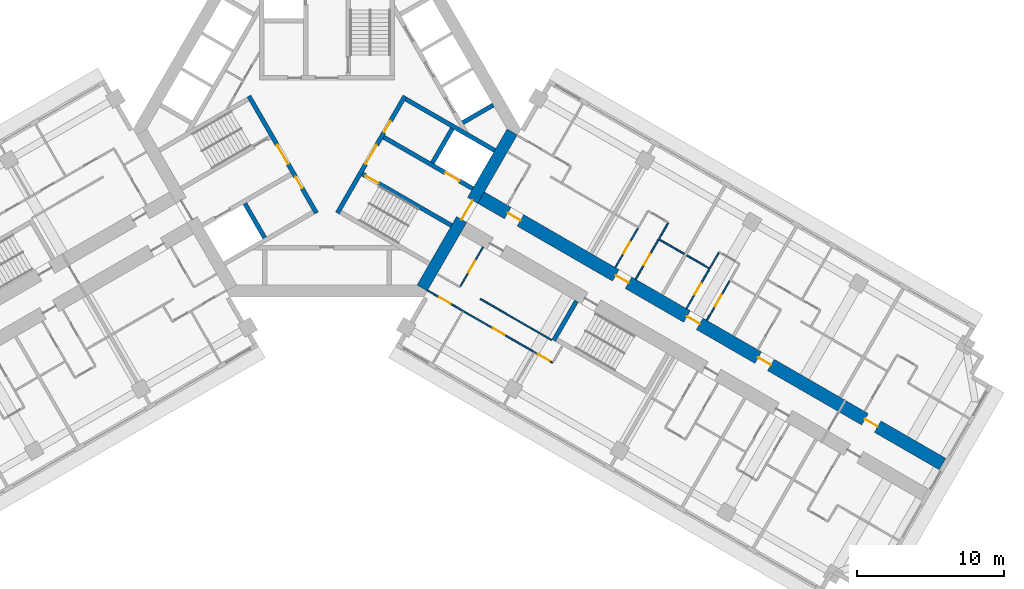
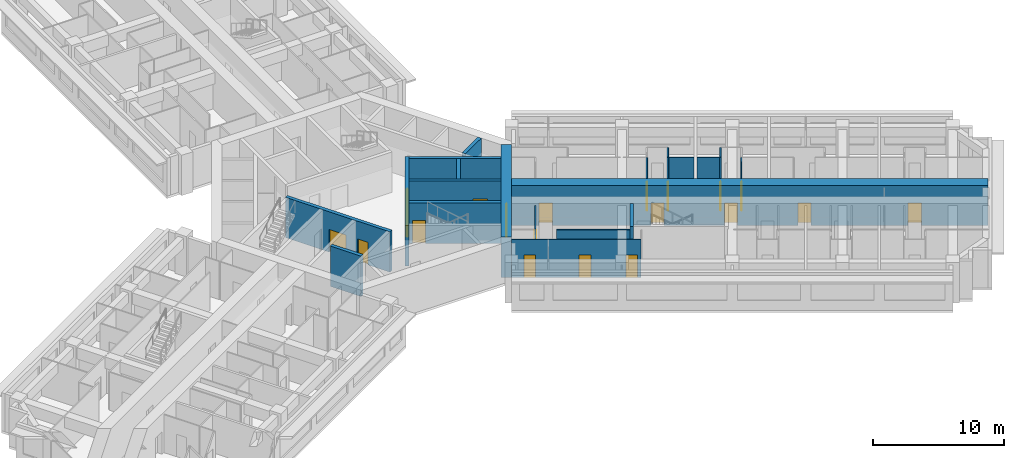
# One storey, part 6 of 13: 22 walls, 20 doors, 20 openings.
"""IFC4 building model written with IfcOpenShell, lengths in metres."""

from ifc_helpers import new_model, si_unit, direction, frame, frame_2d, origin, place, context, subcontext, project, spatial, rectangle, extrude, material, layer, layer_set, type_object, element, fill, save


model = new_model("IFC4")

# Units and contexts
model_context = context("Model", 3, precision=1e-05, world=origin(), true_north=direction((0.0, 1.0)))
body_context = subcontext(model_context, "Body", "Model", "MODEL_VIEW")
ifc_project = project(units=[si_unit("LENGTHUNIT", "METRE"), si_unit("AREAUNIT", "SQUARE_METRE"), si_unit("VOLUMEUNIT", "CUBIC_METRE"), si_unit("PLANEANGLEUNIT", "RADIAN"), si_unit("MASSUNIT", "GRAM", prefix="KILO")], contexts=[model_context])

# Site, building, storey
site_placement = place(None, origin())
site = spatial("IfcSite", under=ifc_project, at=site_placement, CompositionType="ELEMENT")
building_placement = place(site_placement, origin())
building = spatial("IfcBuilding", under=site, at=building_placement, Name="Impinga Residences", CompositionType="ELEMENT")
storey_placement = place(building_placement, frame((0.0, 0.0, 136.0)))
storey = spatial("IfcBuildingStorey", under=building, at=storey_placement, Name="L33", CompositionType="ELEMENT", Elevation=136.0)

# Wall, openings, doors
ifc_material_1 = material(Name="Concrete C60/75", Category="concrete")
ifc_layer_1 = layer(ifc_material_1, 0.89990234375)
ifc_layer_set_1 = layer_set([ifc_layer_1], Name="Concrete C60/75")
wall_type_1 = type_object("IfcWallType", Name="BW2 corridor buttress wall, L24 to L44 900", PredefinedType="SHEAR", material=ifc_layer_set_1)
wall_1_placement = place(storey_placement, frame((10.153564453125, -4.4765625, 0.0), z_axis=(0.0, 0.0, 1.0), x_axis=(0.866027614434, -0.499996171023, 0.0)))
wall_1 = element("IfcWall", 1, at=wall_1_placement, inside=storey, type_object=wall_type_1, Name="Corridor wall BW2 EC L33", PredefinedType="SHEAR", context=body_context, shape_type="SweptSolid", body=[
    extrude(rectangle(XDim=36.699951171875, YDim=0.89990234375, at=frame_2d((18.35009765625, 0.0))), origin(), (0.0, 0.0, 1.0), 3.75),
])
opening_1_placement = place(wall_1_placement, frame((2.5, 0.0, 0.0)))
opening_1 = element("IfcOpeningElement", 2, at=opening_1_placement, cuts=wall_1, Name="Opening D1", PredefinedType="OPENING", context=body_context, shape_type="SweptSolid", body=[
    extrude(rectangle(XDim=1.0, YDim=2.10009765625, at=frame_2d((0.5, 1.050048828125))), frame((0.0, 0.4599609375, 0.0), z_axis=(0.0, -1.0, 0.0), x_axis=(1.0, 0.0, 0.0)), (0.0, 0.0, 1.0), 0.919921875),
])
opening_2_placement = place(wall_1_placement, frame((11.0, 0.0, 0.0)))
opening_2 = element("IfcOpeningElement", 3, at=opening_2_placement, cuts=wall_1, Name="Opening D1", PredefinedType="OPENING", context=body_context, shape_type="SweptSolid", body=[
    extrude(rectangle(XDim=1.0, YDim=2.10009765625, at=frame_2d((0.5, 1.050048828125))), frame((0.0, 0.4599609375, 0.0), z_axis=(0.0, -1.0, 0.0), x_axis=(1.0, 0.0, 0.0)), (0.0, 0.0, 1.0), 0.919921875),
])
opening_3_placement = place(wall_1_placement, frame((16.60009765625, 0.0, 0.0)))
opening_3 = element("IfcOpeningElement", 4, at=opening_3_placement, cuts=wall_1, Name="Opening D1", PredefinedType="OPENING", context=body_context, shape_type="SweptSolid", body=[
    extrude(rectangle(XDim=1.0, YDim=2.10009765625, at=frame_2d((0.5, 1.050048828125))), frame((0.0, 0.4599609375, 0.0), z_axis=(0.0, -1.0, 0.0), x_axis=(1.0, 0.0, 0.0)), (0.0, 0.0, 1.0), 0.919921875),
])
opening_4_placement = place(wall_1_placement, frame((22.199951171875, 0.0, 0.0)))
opening_4 = element("IfcOpeningElement", 5, at=opening_4_placement, cuts=wall_1, Name="Opening D1", PredefinedType="OPENING", context=body_context, shape_type="SweptSolid", body=[
    extrude(rectangle(XDim=1.0, YDim=2.10009765625, at=frame_2d((0.5, 1.050048828125))), frame((0.0, 0.4599609375, 0.0), z_axis=(0.0, -1.0, 0.0), x_axis=(1.0, 0.0, 0.0)), (0.0, 0.0, 1.0), 0.919921875),
])
opening_5_placement = place(wall_1_placement, frame((30.60009765625, 0.0, 0.0)))
opening_5 = element("IfcOpeningElement", 6, at=opening_5_placement, cuts=wall_1, Name="Opening D1", PredefinedType="OPENING", context=body_context, shape_type="SweptSolid", body=[
    extrude(rectangle(XDim=1.0, YDim=2.10009765625, at=frame_2d((0.5, 1.050048828125))), frame((0.0, 0.4599609375, 0.0), z_axis=(0.0, -1.0, 0.0), x_axis=(1.0, 0.0, 0.0)), (0.0, 0.0, 1.0), 0.919921875),
])
ifc_material_2 = material(Name="Timber door set", Category="wood")
door_type_1 = type_object("IfcDoorType", Name="D1 apartment entrance door 1000x2100", OperationType="SINGLE_SWING_LEFT", PredefinedType="DOOR", material=ifc_material_2)
door_1_placement = place(opening_1_placement, origin())
door_1 = element("IfcDoor", 7, at=door_1_placement, inside=storey, type_object=door_type_1, Name="Apartment L33-EA1 entrance", OperationType="SINGLE_SWING_LEFT", OverallHeight=2.10009765625, OverallWidth=1.0, PredefinedType="DOOR", context=body_context, shape_type="SweptSolid", body=[
    extrude(rectangle(XDim=1.0, YDim=2.10009765625, at=frame_2d((0.5, 1.050048828125))), frame((0.0, 0.02490234375, 0.0), z_axis=(0.0, -1.0, 0.0), x_axis=(1.0, 0.0, 0.0)), (0.0, 0.0, 1.0), 0.050048828125),
])
fill(opening_1, door_1)
door_2_placement = place(opening_2_placement, origin())
door_2 = element("IfcDoor", 8, at=door_2_placement, inside=storey, type_object=door_type_1, Name="Apartment L33-EA2 entrance", OperationType="SINGLE_SWING_LEFT", OverallHeight=2.10009765625, OverallWidth=1.0, PredefinedType="DOOR", context=body_context, shape_type="SweptSolid", body=[
    extrude(rectangle(XDim=1.0, YDim=2.10009765625, at=frame_2d((0.5, 1.050048828125))), frame((0.0, 0.02490234375, 0.0), z_axis=(0.0, -1.0, 0.0), x_axis=(1.0, 0.0, 0.0)), (0.0, 0.0, 1.0), 0.050048828125),
])
fill(opening_2, door_2)
door_3_placement = place(opening_3_placement, origin())
door_3 = element("IfcDoor", 9, at=door_3_placement, inside=storey, type_object=door_type_1, Name="Apartment L33-EA3 entrance", OperationType="SINGLE_SWING_LEFT", OverallHeight=2.10009765625, OverallWidth=1.0, PredefinedType="DOOR", context=body_context, shape_type="SweptSolid", body=[
    extrude(rectangle(XDim=1.0, YDim=2.10009765625, at=frame_2d((0.5, 1.050048828125))), frame((0.0, 0.02490234375, 0.0), z_axis=(0.0, -1.0, 0.0), x_axis=(1.0, 0.0, 0.0)), (0.0, 0.0, 1.0), 0.050048828125),
])
fill(opening_3, door_3)
door_4_placement = place(opening_4_placement, origin())
door_4 = element("IfcDoor", 10, at=door_4_placement, inside=storey, type_object=door_type_1, Name="Apartment L33-EA4 entrance", OperationType="SINGLE_SWING_RIGHT", OverallHeight=2.10009765625, OverallWidth=1.0, PredefinedType="DOOR", context=body_context, shape_type="SweptSolid", body=[
    extrude(rectangle(XDim=1.0, YDim=2.10009765625, at=frame_2d((0.5, 1.050048828125))), frame((0.0, 0.02490234375, 0.0), z_axis=(0.0, -1.0, 0.0), x_axis=(1.0, 0.0, 0.0)), (0.0, 0.0, 1.0), 0.050048828125),
])
fill(opening_4, door_4)
door_5_placement = place(opening_5_placement, origin())
door_5 = element("IfcDoor", 11, at=door_5_placement, inside=storey, type_object=door_type_1, Name="Apartment L33-EA5 entrance", OperationType="SINGLE_SWING_RIGHT", OverallHeight=2.10009765625, OverallWidth=1.0, PredefinedType="DOOR", context=body_context, shape_type="SweptSolid", body=[
    extrude(rectangle(XDim=1.0, YDim=2.10009765625, at=frame_2d((0.5, 1.050048828125))), frame((0.0, 0.02490234375, 0.0), z_axis=(0.0, -1.0, 0.0), x_axis=(1.0, 0.0, 0.0)), (0.0, 0.0, 1.0), 0.050048828125),
])
fill(opening_5, door_5)

# Walls
ifc_material_3 = material(Name="Gypsum board on steel studs", Category="steel")
ifc_layer_2 = layer(ifc_material_3, 0.10009765625)
ifc_layer_set_2 = layer_set([ifc_layer_2], Name="Gypsum board on steel studs")
wall_type_2 = type_object("IfcWallType", Name="IP1 partition 100", PredefinedType="PARTITIONING", material=ifc_layer_set_2)
wall_2_placement = place(storey_placement, frame((22.605712890625, -7.5087890625, 0.0), z_axis=(0.0, 0.0, 1.0), x_axis=(0.866010750942, -0.50002537861, 0.0)))
element("IfcWall", 12, at=wall_2_placement, inside=storey, type_object=wall_type_2, Name="Partition L33-EA2:DIV1", PredefinedType="PARTITIONING", context=body_context, shape_type="SweptSolid", body=[
    extrude(rectangle(XDim=2.0, YDim=0.10009765625, at=frame_2d((1.0, 0.0))), origin(), (0.0, 0.0, 1.0), 3.530029296875),
])
wall_3_placement = place(storey_placement, frame((22.630615234375, -7.465576171875, 0.0), z_axis=(0.0, 0.0, 1.0), x_axis=(0.500033551112, 0.866006032174, 0.0)))
element("IfcWall", 13, at=wall_3_placement, inside=storey, type_object=wall_type_2, Name="Partition L33-EA2:SE1", PredefinedType="PARTITIONING", context=body_context, shape_type="SweptSolid", body=[
    extrude(rectangle(XDim=1.2001953125, YDim=0.10009765625, at=frame_2d((0.60009765625, 0.0))), origin(), (0.0, 0.0, 1.0), 3.530029296875),
])

# Wall, opening, door
wall_4_placement = place(storey_placement, frame((19.64501953125, -9.436767578125, 0.0), z_axis=(0.0, 0.0, 1.0), x_axis=(0.500026960575, 0.86600983753, 0.0)))
wall_4 = element("IfcWall", 14, at=wall_4_placement, inside=storey, type_object=wall_type_2, Name="Partition L33-EA2:IB1", PredefinedType="PARTITIONING", context=body_context, shape_type="SweptSolid", body=[
    extrude(rectangle(XDim=3.099853515625, YDim=0.10009765625, at=frame_2d((1.5498046875, 0.0))), origin(), (0.0, 0.0, 1.0), 3.530029296875),
])
opening_6_placement = place(wall_4_placement, frame((1.10009765625, 0.0, 0.0)))
opening_6 = element("IfcOpeningElement", 15, at=opening_6_placement, cuts=wall_4, Name="Opening D2", PredefinedType="OPENING", context=body_context, shape_type="SweptSolid", body=[
    extrude(rectangle(XDim=0.89990234375, YDim=2.10009765625, at=frame_2d((0.449951171875, 1.050048828125))), frame((0.0, 0.06005859375, 0.0), z_axis=(0.0, -1.0, 0.0), x_axis=(1.0, 0.0, 0.0)), (0.0, 0.0, 1.0), 0.1201171875),
])
door_type_2 = type_object("IfcDoorType", Name="D2 internal door 900x2100", OperationType="SINGLE_SWING_LEFT", PredefinedType="DOOR", material=ifc_material_2)
door_6_placement = place(opening_6_placement, origin())
door_6 = element("IfcDoor", 16, at=door_6_placement, inside=storey, type_object=door_type_2, Name="Apartment L33-EA2 bathroom door", OperationType="SINGLE_SWING_LEFT", OverallHeight=2.10009765625, OverallWidth=0.89990234375, PredefinedType="DOOR", context=body_context, shape_type="SweptSolid", body=[
    extrude(rectangle(XDim=0.89990234375, YDim=2.10009765625, at=frame_2d((0.449951171875, 1.050048828125))), frame((0.0, 0.02490234375, 0.0), z_axis=(0.0, -1.0, 0.0), x_axis=(1.0, 0.0, 0.0)), (0.0, 0.0, 1.0), 0.050048828125),
])
fill(opening_6, door_6)

wall_5_placement = place(storey_placement, frame((21.03076171875, -10.23681640625, 0.0), z_axis=(0.0, 0.0, 1.0), x_axis=(0.500026960575, 0.86600983753, 0.0)))
wall_5 = element("IfcWall", 17, at=wall_5_placement, inside=storey, type_object=wall_type_2, Name="Partition L33-EA2:IB2", PredefinedType="PARTITIONING", context=body_context, shape_type="SweptSolid", body=[
    extrude(rectangle(XDim=3.099853515625, YDim=0.10009765625, at=frame_2d((1.5498046875, 0.0))), origin(), (0.0, 0.0, 1.0), 3.530029296875),
])
opening_7_placement = place(wall_5_placement, frame((1.10009765625, 0.0, 0.0)))
opening_7 = element("IfcOpeningElement", 18, at=opening_7_placement, cuts=wall_5, Name="Opening D2", PredefinedType="OPENING", context=body_context, shape_type="SweptSolid", body=[
    extrude(rectangle(XDim=0.89990234375, YDim=2.10009765625, at=frame_2d((0.449951171875, 1.050048828125))), frame((0.0, 0.06005859375, 0.0), z_axis=(0.0, -1.0, 0.0), x_axis=(1.0, 0.0, 0.0)), (0.0, 0.0, 1.0), 0.1201171875),
])
door_7_placement = place(opening_7_placement, origin())
door_7 = element("IfcDoor", 19, at=door_7_placement, inside=storey, type_object=door_type_2, Name="Apartment L33-EA2 WC door", OperationType="SINGLE_SWING_LEFT", OverallHeight=2.10009765625, OverallWidth=0.89990234375, PredefinedType="DOOR", context=body_context, shape_type="SweptSolid", body=[
    extrude(rectangle(XDim=0.89990234375, YDim=2.10009765625, at=frame_2d((0.449951171875, 1.050048828125))), frame((0.0, 0.02490234375, 0.0), z_axis=(0.0, -1.0, 0.0), x_axis=(1.0, 0.0, 0.0)), (0.0, 0.0, 1.0), 0.050048828125),
])
fill(opening_7, door_7)

# Walls
wall_6_placement = place(storey_placement, frame((24.510986328125, -8.60888671875, 0.0), z_axis=(0.0, 0.0, 1.0), x_axis=(0.866047807691, -0.499961193289, 0.0)))
element("IfcWall", 20, at=wall_6_placement, inside=storey, type_object=wall_type_2, Name="Partition L33-EA3:DIV0", PredefinedType="PARTITIONING", context=body_context, shape_type="SweptSolid", body=[
    extrude(rectangle(XDim=1.800048828125, YDim=0.10009765625, at=frame_2d((0.89990234375, 0.0))), origin(), (0.0, 0.0, 1.0), 3.530029296875),
])
wall_7_placement = place(storey_placement, frame((26.0947265625, -9.465576171875, 0.0), z_axis=(0.0, 0.0, 1.0), x_axis=(0.500033551112, 0.866006032174, 0.0)))
element("IfcWall", 21, at=wall_7_placement, inside=storey, type_object=wall_type_2, Name="Partition L33-EA3:SE0", PredefinedType="PARTITIONING", context=body_context, shape_type="SweptSolid", body=[
    extrude(rectangle(XDim=1.2001953125, YDim=0.10009765625, at=frame_2d((0.60009765625, 0.0))), origin(), (0.0, 0.0, 1.0), 3.530029296875),
])

# Wall, opening, door
wall_8_placement = place(storey_placement, frame((24.494873046875, -12.23681640625, 0.0), z_axis=(0.0, 0.0, 1.0), x_axis=(0.500026960575, 0.86600983753, 0.0)))
wall_8 = element("IfcWall", 22, at=wall_8_placement, inside=storey, type_object=wall_type_2, Name="Partition L33-EA3:IB1", PredefinedType="PARTITIONING", context=body_context, shape_type="SweptSolid", body=[
    extrude(rectangle(XDim=3.099853515625, YDim=0.10009765625, at=frame_2d((1.5498046875, 0.0))), origin(), (0.0, 0.0, 1.0), 3.530029296875),
])
opening_8_placement = place(wall_8_placement, frame((1.10009765625, 0.0, 0.0)))
opening_8 = element("IfcOpeningElement", 23, at=opening_8_placement, cuts=wall_8, Name="Opening D2", PredefinedType="OPENING", context=body_context, shape_type="SweptSolid", body=[
    extrude(rectangle(XDim=0.89990234375, YDim=2.10009765625, at=frame_2d((0.449951171875, 1.050048828125))), frame((0.0, 0.06005859375, 0.0), z_axis=(0.0, -1.0, 0.0), x_axis=(1.0, 0.0, 0.0)), (0.0, 0.0, 1.0), 0.1201171875),
])
door_8_placement = place(opening_8_placement, origin())
door_8 = element("IfcDoor", 24, at=door_8_placement, inside=storey, type_object=door_type_2, Name="Apartment L33-EA3 bathroom door", OperationType="SINGLE_SWING_LEFT", OverallHeight=2.10009765625, OverallWidth=0.89990234375, PredefinedType="DOOR", context=body_context, shape_type="SweptSolid", body=[
    extrude(rectangle(XDim=0.89990234375, YDim=2.10009765625, at=frame_2d((0.449951171875, 1.050048828125))), frame((0.0, 0.02490234375, 0.0), z_axis=(0.0, -1.0, 0.0), x_axis=(1.0, 0.0, 0.0)), (0.0, 0.0, 1.0), 0.050048828125),
])
fill(opening_8, door_8)

wall_9_placement = place(storey_placement, frame((25.88037109375, -13.036865234375, 0.0), z_axis=(0.0, 0.0, 1.0), x_axis=(0.49999285859, 0.86602952684, 0.0)))
wall_9 = element("IfcWall", 25, at=wall_9_placement, inside=storey, type_object=wall_type_2, Name="Partition L33-EA3:IB2", PredefinedType="PARTITIONING", context=body_context, shape_type="SweptSolid", body=[
    extrude(rectangle(XDim=3.10009765625, YDim=0.10009765625, at=frame_2d((1.550048828125, 0.0))), origin(), (0.0, 0.0, 1.0), 3.530029296875),
])
opening_9_placement = place(wall_9_placement, frame((1.10009765625, 0.0, 0.0)))
opening_9 = element("IfcOpeningElement", 26, at=opening_9_placement, cuts=wall_9, Name="Opening D2", PredefinedType="OPENING", context=body_context, shape_type="SweptSolid", body=[
    extrude(rectangle(XDim=0.89990234375, YDim=2.10009765625, at=frame_2d((0.449951171875, 1.050048828125))), frame((0.0, 0.06005859375, 0.0), z_axis=(0.0, -1.0, 0.0), x_axis=(1.0, 0.0, 0.0)), (0.0, 0.0, 1.0), 0.1201171875),
])
door_9_placement = place(opening_9_placement, origin())
door_9 = element("IfcDoor", 27, at=door_9_placement, inside=storey, type_object=door_type_2, Name="Apartment L33-EA3 WC door", OperationType="SINGLE_SWING_LEFT", OverallHeight=2.10009765625, OverallWidth=0.89990234375, PredefinedType="DOOR", context=body_context, shape_type="SweptSolid", body=[
    extrude(rectangle(XDim=0.89990234375, YDim=2.10009765625, at=frame_2d((0.449951171875, 1.050048828125))), frame((0.0, 0.02490234375, 0.0), z_axis=(0.0, -1.0, 0.0), x_axis=(1.0, 0.0, 0.0)), (0.0, 0.0, 1.0), 0.050048828125),
])
fill(opening_9, door_9)

# Wall
wall_10_placement = place(storey_placement, frame((10.444580078125, -11.57275390625, 0.0), z_axis=(0.0, 0.0, 1.0), x_axis=(0.866015695474, -0.500016814911, 0.0)))
element("IfcWall", 28, at=wall_10_placement, inside=storey, type_object=wall_type_2, Name="Partition L33-EF1:DIV1", PredefinedType="PARTITIONING", context=body_context, shape_type="SweptSolid", body=[
    extrude(rectangle(XDim=5.599853515625, YDim=0.10009765625, at=frame_2d((2.7998046875, 0.0))), origin(), (0.0, 0.0, 1.0), 3.530029296875),
])

# Wall, openings, doors
wall_11_placement = place(storey_placement, frame((6.85009765625, -10.99853515625, 0.0), z_axis=(0.0, 0.0, 1.0), x_axis=(0.866021308241, -0.500007093622, 0.0)))
wall_11 = element("IfcWall", 29, at=wall_11_placement, inside=storey, type_object=wall_type_2, Name="Partition L33-EF1:STRIP", PredefinedType="PARTITIONING", context=body_context, shape_type="SweptSolid", body=[
    extrude(rectangle(XDim=9.849853515625, YDim=0.10009765625, at=frame_2d((4.9248046875, 0.0))), origin(), (0.0, 0.0, 1.0), 3.530029296875),
])
opening_10_placement = place(wall_11_placement, frame((0.925048828125, 0.0, 0.0)))
opening_10 = element("IfcOpeningElement", 30, at=opening_10_placement, cuts=wall_11, Name="Opening D2", PredefinedType="OPENING", context=body_context, shape_type="SweptSolid", body=[
    extrude(rectangle(XDim=0.89990234375, YDim=2.10009765625, at=frame_2d((0.449951171875, 1.050048828125))), frame((0.0, 0.06005859375, 0.0), z_axis=(0.0, -1.0, 0.0), x_axis=(1.0, 0.0, 0.0)), (0.0, 0.0, 1.0), 0.1201171875),
])
opening_11_placement = place(wall_11_placement, frame((5.14990234375, 0.0, 0.0)))
opening_11 = element("IfcOpeningElement", 31, at=opening_11_placement, cuts=wall_11, Name="Opening D2", PredefinedType="OPENING", context=body_context, shape_type="SweptSolid", body=[
    extrude(rectangle(XDim=0.89990234375, YDim=2.10009765625, at=frame_2d((0.449951171875, 1.050048828125))), frame((0.0, 0.06005859375, 0.0), z_axis=(0.0, -1.0, 0.0), x_axis=(1.0, 0.0, 0.0)), (0.0, 0.0, 1.0), 0.1201171875),
])
opening_12_placement = place(wall_11_placement, frame((8.699951171875, 0.0, 0.0)))
opening_12 = element("IfcOpeningElement", 32, at=opening_12_placement, cuts=wall_11, Name="Opening D2", PredefinedType="OPENING", context=body_context, shape_type="SweptSolid", body=[
    extrude(rectangle(XDim=0.89990234375, YDim=2.10009765625, at=frame_2d((0.449951171875, 1.050048828125))), frame((0.0, 0.06005859375, 0.0), z_axis=(0.0, -1.0, 0.0), x_axis=(1.0, 0.0, 0.0)), (0.0, 0.0, 1.0), 0.1201171875),
])
door_10_placement = place(opening_10_placement, origin())
door_10 = element("IfcDoor", 33, at=door_10_placement, inside=storey, type_object=door_type_2, Name="Apartment L33-EF1 room door", OperationType="SINGLE_SWING_LEFT", OverallHeight=2.10009765625, OverallWidth=0.89990234375, PredefinedType="DOOR", context=body_context, shape_type="SweptSolid", body=[
    extrude(rectangle(XDim=0.89990234375, YDim=2.10009765625, at=frame_2d((0.449951171875, 1.050048828125))), frame((0.0, 0.02490234375, 0.0), z_axis=(0.0, -1.0, 0.0), x_axis=(1.0, 0.0, 0.0)), (0.0, 0.0, 1.0), 0.050048828125),
])
fill(opening_10, door_10)
door_11_placement = place(opening_11_placement, origin())
door_11 = element("IfcDoor", 34, at=door_11_placement, inside=storey, type_object=door_type_2, Name="Apartment L33-EF1 room door", OperationType="SINGLE_SWING_RIGHT", OverallHeight=2.10009765625, OverallWidth=0.89990234375, PredefinedType="DOOR", context=body_context, shape_type="SweptSolid", body=[
    extrude(rectangle(XDim=0.89990234375, YDim=2.10009765625, at=frame_2d((0.449951171875, 1.050048828125))), frame((0.0, 0.02490234375, 0.0), z_axis=(0.0, -1.0, 0.0), x_axis=(1.0, 0.0, 0.0)), (0.0, 0.0, 1.0), 0.050048828125),
])
fill(opening_11, door_11)
door_12_placement = place(opening_12_placement, origin())
door_12 = element("IfcDoor", 35, at=door_12_placement, inside=storey, type_object=door_type_2, Name="Apartment L33-EF1 room door", OperationType="SINGLE_SWING_RIGHT", OverallHeight=2.10009765625, OverallWidth=0.89990234375, PredefinedType="DOOR", context=body_context, shape_type="SweptSolid", body=[
    extrude(rectangle(XDim=0.89990234375, YDim=2.10009765625, at=frame_2d((0.449951171875, 1.050048828125))), frame((0.0, 0.02490234375, 0.0), z_axis=(0.0, -1.0, 0.0), x_axis=(1.0, 0.0, 0.0)), (0.0, 0.0, 1.0), 0.050048828125),
])
fill(opening_12, door_12)

# Wall, opening, door
wall_12_placement = place(storey_placement, frame((10.6337890625, -8.044677734375, 0.0), z_axis=(0.0, 0.0, 1.0), x_axis=(-0.49999285859, -0.86602952684, 0.0)))
wall_12 = element("IfcWall", 36, at=wall_12_placement, inside=storey, type_object=wall_type_2, Name="Partition L33-EF1:IB1", PredefinedType="PARTITIONING", context=body_context, shape_type="SweptSolid", body=[
    extrude(rectangle(XDim=3.10009765625, YDim=0.10009765625, at=frame_2d((1.550048828125, 0.0))), origin(), (0.0, 0.0, 1.0), 3.530029296875),
])
opening_13_placement = place(wall_12_placement, frame((1.10009765625, 0.0, 0.0)))
opening_13 = element("IfcOpeningElement", 37, at=opening_13_placement, cuts=wall_12, Name="Opening D2", PredefinedType="OPENING", context=body_context, shape_type="SweptSolid", body=[
    extrude(rectangle(XDim=0.89990234375, YDim=2.10009765625, at=frame_2d((0.449951171875, 1.050048828125))), frame((0.0, 0.06005859375, 0.0), z_axis=(0.0, -1.0, 0.0), x_axis=(1.0, 0.0, 0.0)), (0.0, 0.0, 1.0), 0.1201171875),
])
door_13_placement = place(opening_13_placement, origin())
door_13 = element("IfcDoor", 38, at=door_13_placement, inside=storey, type_object=door_type_2, Name="Apartment L33-EF1 bathroom door", OperationType="SINGLE_SWING_LEFT", OverallHeight=2.10009765625, OverallWidth=0.89990234375, PredefinedType="DOOR", context=body_context, shape_type="SweptSolid", body=[
    extrude(rectangle(XDim=0.89990234375, YDim=2.10009765625, at=frame_2d((0.449951171875, 1.050048828125))), frame((0.0, 0.02490234375, 0.0), z_axis=(0.0, -1.0, 0.0), x_axis=(1.0, 0.0, 0.0)), (0.0, 0.0, 1.0), 0.050048828125),
])
fill(opening_13, door_13)

# Wall
ifc_layer_3 = layer(ifc_material_1, 0.300048828125)
ifc_layer_set_3 = layer_set([ifc_layer_3], Name="Concrete C60/75")
wall_type_3 = type_object("IfcWallType", Name="SE1 wing stair enclosure wall 300", PredefinedType="SOLIDWALL", material=ifc_layer_set_3)
wall_13_placement = place(storey_placement, frame((16.9990234375, -11.7197265625, 0.0), z_axis=(0.0, 0.0, 1.0), x_axis=(-0.499967891604, -0.866043940782, 0.0)))
element("IfcWall", 39, at=wall_13_placement, inside=storey, type_object=wall_type_3, Name="Stair enclosure wall SE1 E END0 L33", PredefinedType="SOLIDWALL", context=body_context, shape_type="SweptSolid", body=[
    extrude(rectangle(XDim=3.099853515625, YDim=0.300048828125, at=frame_2d((1.5498046875, 0.0))), origin(), (0.0, 0.0, 1.0), 3.75),
])

# Wall, opening, door
ifc_layer_4 = layer(ifc_material_1, 0.800048828125)
ifc_layer_set_4 = layer_set([ifc_layer_4], Name="Concrete C60/75")
wall_type_4 = type_object("IfcWallType", Name="SW2 core wall 800", PredefinedType="SHEAR", material=ifc_layer_set_4)
wall_14_placement = place(storey_placement, frame((12.62255859375, -0.199951171875, 0.0), z_axis=(0.0, 0.0, 1.0), x_axis=(-0.499986991068, -0.866032914365, 0.0)))
wall_14 = element("IfcWall", 40, at=wall_14_placement, inside=storey, type_object=wall_type_4, Name="Core wall SW2 E:FACE L33", PredefinedType="SHEAR", context=body_context, shape_type="SweptSolid", body=[
    extrude(rectangle(XDim=12.276123046875, YDim=0.800048828125, at=frame_2d((6.13818359375, 0.0))), origin(), (0.0, 0.0, 1.0), 3.75),
])
opening_14_placement = place(wall_14_placement, frame((5.38818359375, 0.0, 0.0)))
opening_14 = element("IfcOpeningElement", 41, at=opening_14_placement, cuts=wall_14, Name="Opening D4", PredefinedType="OPENING", context=body_context, shape_type="SweptSolid", body=[
    extrude(rectangle(XDim=1.5, YDim=2.10009765625, at=frame_2d((0.75, 1.050048828125))), frame((0.0, 0.409912109375, 0.0), z_axis=(0.0, -1.0, 0.0), x_axis=(1.0, 0.0, 0.0)), (0.0, 0.0, 1.0), 0.820068359375),
])
door_type_3 = type_object("IfcDoorType", Name="D4 lobby door pair 1500x2100", OperationType="DOUBLE_DOOR_DOUBLE_SWING", PredefinedType="DOOR", material=ifc_material_2)
door_14_placement = place(opening_14_placement, origin())
door_14 = element("IfcDoor", 42, at=door_14_placement, inside=storey, type_object=door_type_3, Name="Lobby door E", OperationType="DOUBLE_DOOR_DOUBLE_SWING", OverallHeight=2.10009765625, OverallWidth=1.5, PredefinedType="DOOR", context=body_context, shape_type="SweptSolid", body=[
    extrude(rectangle(XDim=1.5, YDim=2.10009765625, at=frame_2d((0.75, 1.050048828125))), frame((0.0, 0.02490234375, 0.0), z_axis=(0.0, -1.0, 0.0), x_axis=(1.0, 0.0, 0.0)), (0.0, 0.0, 1.0), 0.050048828125),
])
fill(opening_14, door_14)

# Wall, openings, doors
ifc_material_4 = material(Name="Concrete C70/85", Category="concrete")
ifc_layer_5 = layer(ifc_material_4, 0.300048828125)
ifc_layer_set_5 = layer_set([ifc_layer_5], Name="Concrete C70/85")
wall_type_5 = type_object("IfcWallType", Name="SW5 core inner wall, stairs, shafts and lobbies 300", PredefinedType="SHEAR", material=ifc_layer_set_5)
wall_15_placement = place(storey_placement, frame((-0.7138671875, -5.7236328125, 0.0), z_axis=(0.0, 0.0, 1.0), x_axis=(-0.499995050369, 0.866028261437, 0.0)))
wall_15 = element("IfcWall", 43, at=wall_15_placement, inside=storey, type_object=wall_type_5, Name="Core wall SW5 W:ZONE L33", PredefinedType="SHEAR", context=body_context, shape_type="SweptSolid", body=[
    extrude(rectangle(XDim=9.19970703125, YDim=0.300048828125, at=frame_2d((4.599853515625, 0.0))), origin(), (0.0, 0.0, 1.0), 3.75),
])
opening_15_placement = place(wall_15_placement, frame((3.85009765625, 0.0, 0.0)))
opening_15 = element("IfcOpeningElement", 44, at=opening_15_placement, cuts=wall_15, Name="Opening D4", PredefinedType="OPENING", context=body_context, shape_type="SweptSolid", body=[
    extrude(rectangle(XDim=1.5, YDim=2.10009765625, at=frame_2d((0.75, 1.050048828125))), frame((0.0, 0.159912109375, 0.0), z_axis=(0.0, -1.0, 0.0), x_axis=(1.0, 0.0, 0.0)), (0.0, 0.0, 1.0), 0.320068359375),
])
opening_16_placement = place(wall_15_placement, frame((1.949951171875, 0.0, 0.0)))
opening_16 = element("IfcOpeningElement", 45, at=opening_16_placement, cuts=wall_15, Name="Opening D6", PredefinedType="OPENING", context=body_context, shape_type="SweptSolid", body=[
    extrude(rectangle(XDim=0.89990234375, YDim=2.10009765625, at=frame_2d((0.449951171875, 1.050048828125))), frame((0.0, 0.159912109375, 0.0), z_axis=(0.0, -1.0, 0.0), x_axis=(1.0, 0.0, 0.0)), (0.0, 0.0, 1.0), 0.320068359375),
])
door_15_placement = place(opening_15_placement, origin())
door_15 = element("IfcDoor", 46, at=door_15_placement, inside=storey, type_object=door_type_3, Name="Firefighting lobby door W", OperationType="DOUBLE_DOOR_DOUBLE_SWING", OverallHeight=2.10009765625, OverallWidth=1.5, PredefinedType="DOOR", context=body_context, shape_type="SweptSolid", body=[
    extrude(rectangle(XDim=1.5, YDim=2.10009765625, at=frame_2d((0.75, 1.050048828125))), frame((0.0, 0.02490234375, 0.0), z_axis=(0.0, -1.0, 0.0), x_axis=(1.0, 0.0, 0.0)), (0.0, 0.0, 1.0), 0.050048828125),
])
fill(opening_15, door_15)
door_type_4 = type_object("IfcDoorType", Name="D6 riser and store door 900x2100", OperationType="SINGLE_SWING_LEFT", PredefinedType="DOOR", material=ifc_material_2)
door_16_placement = place(opening_16_placement, origin())
door_16 = element("IfcDoor", 47, at=door_16_placement, inside=storey, type_object=door_type_4, Name="Riser door W", OperationType="SINGLE_SWING_LEFT", OverallHeight=2.10009765625, OverallWidth=0.89990234375, PredefinedType="DOOR", context=body_context, shape_type="SweptSolid", body=[
    extrude(rectangle(XDim=0.89990234375, YDim=2.10009765625, at=frame_2d((0.449951171875, 1.050048828125))), frame((0.0, 0.02490234375, 0.0), z_axis=(0.0, -1.0, 0.0), x_axis=(1.0, 0.0, 0.0)), (0.0, 0.0, 1.0), 0.050048828125),
])
fill(opening_16, door_16)

# Wall
wall_16_placement = place(storey_placement, frame((-4.2412109375, -7.413818359375, 0.0), z_axis=(0.0, 0.0, 1.0), x_axis=(-0.500048589285, 0.86599734893, 0.0)))
element("IfcWall", 48, at=wall_16_placement, inside=storey, type_object=wall_type_5, Name="Core wall SW5 W:FF-RS L33", PredefinedType="SHEAR", context=body_context, shape_type="SweptSolid", body=[
    extrude(rectangle(XDim=2.699951171875, YDim=0.300048828125, at=frame_2d((1.35009765625, 0.0))), origin(), (0.0, 0.0, 1.0), 3.75),
])

# Wall, openings, doors
wall_17_placement = place(storey_placement, frame((5.313720703125, 2.24365234375, 0.0), z_axis=(0.0, 0.0, 1.0), x_axis=(-0.499995050369, -0.866028261437, 0.0)))
wall_17 = element("IfcWall", 49, at=wall_17_placement, inside=storey, type_object=wall_type_5, Name="Core wall SW5 E:ZONE L33", PredefinedType="SHEAR", context=body_context, shape_type="SweptSolid", body=[
    extrude(rectangle(XDim=9.19970703125, YDim=0.300048828125, at=frame_2d((4.599853515625, 0.0))), origin(), (0.0, 0.0, 1.0), 3.75),
])
opening_17_placement = place(wall_17_placement, frame((3.85009765625, 0.0, 0.0)))
opening_17 = element("IfcOpeningElement", 50, at=opening_17_placement, cuts=wall_17, Name="Opening D4", PredefinedType="OPENING", context=body_context, shape_type="SweptSolid", body=[
    extrude(rectangle(XDim=1.5, YDim=2.10009765625, at=frame_2d((0.75, 1.050048828125))), frame((0.0, 0.159912109375, 0.0), z_axis=(0.0, -1.0, 0.0), x_axis=(1.0, 0.0, 0.0)), (0.0, 0.0, 1.0), 0.320068359375),
])
opening_18_placement = place(wall_17_placement, frame((1.949951171875, 0.0, 0.0)))
opening_18 = element("IfcOpeningElement", 51, at=opening_18_placement, cuts=wall_17, Name="Opening D6", PredefinedType="OPENING", context=body_context, shape_type="SweptSolid", body=[
    extrude(rectangle(XDim=0.89990234375, YDim=2.10009765625, at=frame_2d((0.449951171875, 1.050048828125))), frame((0.0, 0.159912109375, 0.0), z_axis=(0.0, -1.0, 0.0), x_axis=(1.0, 0.0, 0.0)), (0.0, 0.0, 1.0), 0.320068359375),
])
door_17_placement = place(opening_17_placement, origin())
door_17 = element("IfcDoor", 52, at=door_17_placement, inside=storey, type_object=door_type_3, Name="Firefighting lobby door E", OperationType="DOUBLE_DOOR_DOUBLE_SWING", OverallHeight=2.10009765625, OverallWidth=1.5, PredefinedType="DOOR", context=body_context, shape_type="SweptSolid", body=[
    extrude(rectangle(XDim=1.5, YDim=2.10009765625, at=frame_2d((0.75, 1.050048828125))), frame((0.0, 0.02490234375, 0.0), z_axis=(0.0, -1.0, 0.0), x_axis=(1.0, 0.0, 0.0)), (0.0, 0.0, 1.0), 0.050048828125),
])
fill(opening_17, door_17)
door_18_placement = place(opening_18_placement, origin())
door_18 = element("IfcDoor", 53, at=door_18_placement, inside=storey, type_object=door_type_4, Name="Riser door E", OperationType="SINGLE_SWING_LEFT", OverallHeight=2.10009765625, OverallWidth=0.89990234375, PredefinedType="DOOR", context=body_context, shape_type="SweptSolid", body=[
    extrude(rectangle(XDim=0.89990234375, YDim=2.10009765625, at=frame_2d((0.449951171875, 1.050048828125))), frame((0.0, 0.02490234375, 0.0), z_axis=(0.0, -1.0, 0.0), x_axis=(1.0, 0.0, 0.0)), (0.0, 0.0, 1.0), 0.050048828125),
])
fill(opening_18, door_18)

# Wall, opening, door
wall_18_placement = place(storey_placement, frame((2.418701171875, -3.07080078125, 0.0), z_axis=(0.0, 0.0, 1.0), x_axis=(0.866026480128, -0.499998135713, 0.0)))
wall_18 = element("IfcWall", 54, at=wall_18_placement, inside=storey, type_object=wall_type_5, Name="Core wall SW5 E:ST-IN L33", PredefinedType="SHEAR", context=body_context, shape_type="SweptSolid", body=[
    extrude(rectangle(XDim=7.00146484375, YDim=0.300048828125, at=frame_2d((3.500732421875, 0.0))), origin(), (0.0, 0.0, 1.0), 3.75),
])
opening_19_placement = place(wall_18_placement, frame((0.25, 0.0, 0.0)))
opening_19 = element("IfcOpeningElement", 55, at=opening_19_placement, cuts=wall_18, Name="Opening D5", PredefinedType="OPENING", context=body_context, shape_type="SweptSolid", body=[
    extrude(rectangle(XDim=1.0, YDim=2.10009765625, at=frame_2d((0.5, 1.050048828125))), frame((0.0, 0.159912109375, 0.0), z_axis=(0.0, -1.0, 0.0), x_axis=(1.0, 0.0, 0.0)), (0.0, 0.0, 1.0), 0.320068359375),
])
door_type_5 = type_object("IfcDoorType", Name="D5 stair door 1000x2100", OperationType="SINGLE_SWING_LEFT", PredefinedType="DOOR", material=ifc_material_2)
door_19_placement = place(opening_19_placement, origin())
door_19 = element("IfcDoor", 56, at=door_19_placement, inside=storey, type_object=door_type_5, Name="Stair door E", OperationType="SINGLE_SWING_LEFT", OverallHeight=2.10009765625, OverallWidth=1.0, PredefinedType="DOOR", context=body_context, shape_type="SweptSolid", body=[
    extrude(rectangle(XDim=1.0, YDim=2.10009765625, at=frame_2d((0.5, 1.050048828125))), frame((0.0, 0.02490234375, 0.0), z_axis=(0.0, -1.0, 0.0), x_axis=(1.0, 0.0, 0.0)), (0.0, 0.0, 1.0), 0.050048828125),
])
fill(opening_19, door_19)

wall_19_placement = place(storey_placement, frame((3.86865234375, -0.559326171875, 0.0), z_axis=(0.0, 0.0, 1.0), x_axis=(0.866026480128, -0.499998135713, 0.0)))
wall_19 = element("IfcWall", 57, at=wall_19_placement, inside=storey, type_object=wall_type_5, Name="Core wall SW5 E:FF-IN L33", PredefinedType="SHEAR", context=body_context, shape_type="SweptSolid", body=[
    extrude(rectangle(XDim=7.00146484375, YDim=0.300048828125, at=frame_2d((3.500732421875, 0.0))), origin(), (0.0, 0.0, 1.0), 3.75),
])
opening_20_placement = place(wall_19_placement, frame((4.85009765625, 0.0, 0.0)))
opening_20 = element("IfcOpeningElement", 58, at=opening_20_placement, cuts=wall_19, Name="Opening LD2", PredefinedType="OPENING", context=body_context, shape_type="SweptSolid", body=[
    extrude(rectangle(XDim=1.10009765625, YDim=2.10009765625, at=frame_2d((0.550048828125, 1.050048828125))), frame((0.0, 0.159912109375, 0.0), z_axis=(0.0, -1.0, 0.0), x_axis=(1.0, 0.0, 0.0)), (0.0, 0.0, 1.0), 0.320068359375),
])
ifc_material_5 = material(Name="Steel lift landing door", Category="steel")
door_type_6 = type_object("IfcDoorType", Name="LD2 firefighting lift landing door 1100x2100", OperationType="DOUBLE_DOOR_SLIDING", PredefinedType="DOOR", material=ifc_material_5)
door_20_placement = place(opening_20_placement, origin())
door_20 = element("IfcDoor", 59, at=door_20_placement, inside=storey, type_object=door_type_6, Name="Firefighting lift landing door F3", OperationType="DOUBLE_DOOR_SLIDING", OverallHeight=2.10009765625, OverallWidth=1.10009765625, PredefinedType="DOOR", context=body_context, shape_type="SweptSolid", body=[
    extrude(rectangle(XDim=1.10009765625, YDim=2.10009765625, at=frame_2d((0.550048828125, 1.050048828125))), frame((0.0, 0.02490234375, 0.0), z_axis=(0.0, -1.0, 0.0), x_axis=(1.0, 0.0, 0.0)), (0.0, 0.0, 1.0), 0.050048828125),
])
fill(opening_20, door_20)

# Walls
wall_20_placement = place(storey_placement, frame((5.36865234375, 2.038818359375, 0.0), z_axis=(0.0, 0.0, 1.0), x_axis=(0.866026480128, -0.499998135713, 0.0)))
element("IfcWall", 60, at=wall_20_placement, inside=storey, type_object=wall_type_5, Name="Core wall SW5 E:FF-OUT L33", PredefinedType="SHEAR", context=body_context, shape_type="SweptSolid", body=[
    extrude(rectangle(XDim=7.00146484375, YDim=0.300048828125, at=frame_2d((3.500732421875, 0.0))), origin(), (0.0, 0.0, 1.0), 3.75),
])
wall_21_placement = place(storey_placement, frame((8.541259765625, 0.033935546875, 0.0), z_axis=(0.0, 0.0, 1.0), x_axis=(-0.50000943426, -0.866019956843, 0.0)))
element("IfcWall", 61, at=wall_21_placement, inside=storey, type_object=wall_type_5, Name="Core wall SW5 E:FF-RS L33", PredefinedType="SHEAR", context=body_context, shape_type="SweptSolid", body=[
    extrude(rectangle(XDim=2.7001953125, YDim=0.300048828125, at=frame_2d((1.35009765625, 0.0))), origin(), (0.0, 0.0, 1.0), 3.75),
])
wall_22_placement = place(storey_placement, frame((9.253662109375, 0.43505859375, 0.0), z_axis=(0.0, 0.0, 1.0), x_axis=(0.866006032174, 0.500033551112, 0.0)))
element("IfcWall", 62, at=wall_22_placement, inside=storey, type_object=wall_type_5, Name="Core wall SW5 W:BANK-R L33", PredefinedType="SHEAR", context=body_context, shape_type="SweptSolid", body=[
    extrude(rectangle(XDim=2.400146484375, YDim=0.300048828125, at=frame_2d((1.2001953125, 0.0))), origin(), (0.0, 0.0, 1.0), 3.75),
])

save(model, "model.ifc")
